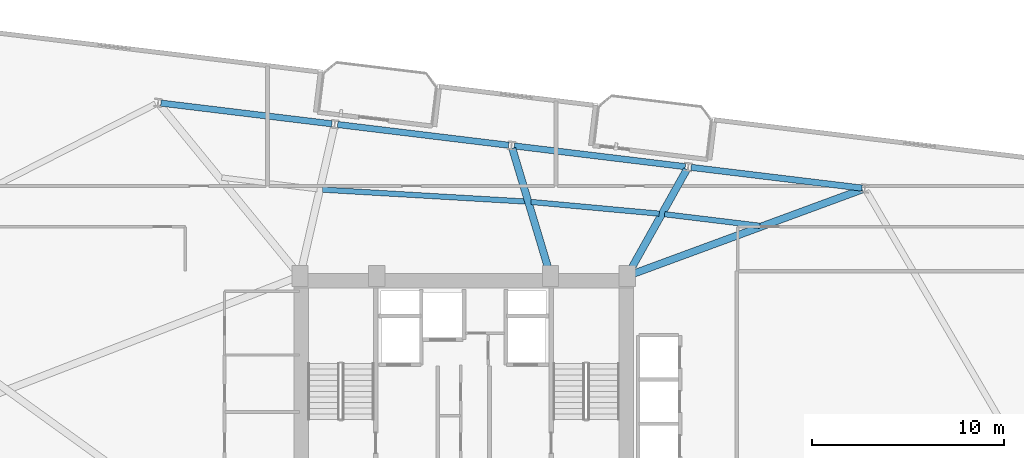
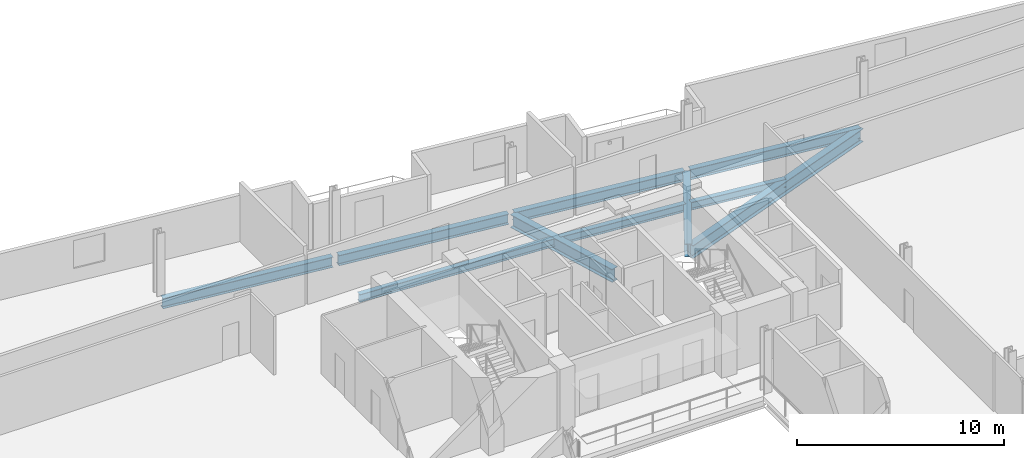
# One storey, part 13 of 26: 10 beams.
"""IFC4 building model written with IfcOpenShell, lengths in metres."""

from ifc_helpers import new_model, si_unit, direction, frame, origin, origin_2d, place, context, subcontext, project, spatial, i_section, extrude, material, material_profile, profile_set, type_object, element, save


model = new_model("IFC4")

# Units and contexts
model_context = context("Model", 3, precision=1e-05, world=origin(), true_north=direction((0.0, 1.0)))
body_context = subcontext(model_context, "Body", "Model", "MODEL_VIEW")
ifc_project = project(units=[si_unit("LENGTHUNIT", "METRE"), si_unit("AREAUNIT", "SQUARE_METRE"), si_unit("VOLUMEUNIT", "CUBIC_METRE"), si_unit("PLANEANGLEUNIT", "RADIAN"), si_unit("MASSUNIT", "GRAM", prefix="KILO")], contexts=[model_context])

# Site, building, storey
site_placement = place(None, origin())
site = spatial("IfcSite", under=ifc_project, at=site_placement, CompositionType="ELEMENT")
building_placement = place(site_placement, origin())
building = spatial("IfcBuilding", under=site, at=building_placement, Name="Varnelok Gate Tower", CompositionType="ELEMENT")
storey_placement = place(building_placement, frame((0.0, 0.0, 155.0)))
storey = spatial("IfcBuildingStorey", under=building, at=storey_placement, Name="L39", CompositionType="ELEMENT", Elevation=155.0)

# Beams
ifc_material = material(Name="Structural Steel ASTM A992 Grade 50", Category="steel")
ifc_material_profile_1 = material_profile(ifc_material, i_section(OverallWidth=0.280029296875, OverallDepth=0.462890625, WebThickness=0.0107421875, FlangeThickness=0.017333984375, FilletRadius=0.014892578125, at=origin_2d()), Name="W18X76")
ifc_profile_set_1 = profile_set([ifc_material_profile_1], Name="Structural Steel ASTM A992 Grade 50")
beam_type_1 = type_object("IfcBeamType", Name="BM-JST-W18X76", PredefinedType="JOIST", material=ifc_profile_set_1)
beam_1_placement = place(storey_placement, frame((54.60302734375, 41.662109375, -0.4814453125), z_axis=(-0.992726345513, 0.120392702953, 0.0), x_axis=(-0.120392702953, -0.992726345513, 0.0)))
element("IfcBeam", 1, at=beam_1_placement, inside=storey, type_object=beam_type_1, Name="L39 Sector Floor Joist 7", PredefinedType="JOIST", context=body_context, shape_type="SweptSolid", body=[
    extrude(i_section(OverallWidth=0.280029296875, OverallDepth=0.462890625, WebThickness=0.0107421875, FlangeThickness=0.017333984375, FilletRadius=0.014892578125, at=origin_2d()), origin(), (0.0, 0.0, 1.0), 4.99267578125),
])
beam_2_placement = place(storey_placement, frame((49.368408203125, 42.29248046875, -0.4814453125), z_axis=(-0.995851851567, 0.090989503412, 0.0), x_axis=(-0.090989503412, -0.995851851567, 0.0)))
element("IfcBeam", 2, at=beam_2_placement, inside=storey, type_object=beam_type_1, Name="L39 Sector Floor Joist 8", PredefinedType="JOIST", context=body_context, shape_type="SweptSolid", body=[
    extrude(i_section(OverallWidth=0.280029296875, OverallDepth=0.462890625, WebThickness=0.0107421875, FlangeThickness=0.017333984375, FilletRadius=0.014892578125, at=origin_2d()), origin(), (0.0, 0.0, 1.0), 6.694580078125),
])
beam_3_placement = place(storey_placement, frame((42.42236328125, 42.922607421875, -0.4814453125), z_axis=(-0.998288836644, 0.058475624263, 0.0), x_axis=(-0.058475624263, -0.998288836644, 0.0)))
element("IfcBeam", 3, at=beam_3_placement, inside=storey, type_object=beam_type_1, Name="L39 Sector Floor Joist 9", PredefinedType="JOIST", context=body_context, shape_type="SweptSolid", body=[
    extrude(i_section(OverallWidth=0.280029296875, OverallDepth=0.462890625, WebThickness=0.0107421875, FlangeThickness=0.017333984375, FilletRadius=0.014892578125, at=origin_2d()), origin(), (0.0, 0.0, 1.0), 10.5712890625),
])
ifc_material_profile_2 = material_profile(ifc_material, i_section(OverallWidth=0.381103515625, OverallDepth=0.77294921875, WebThickness=0.0166015625, FlangeThickness=0.027099609375, FilletRadius=0.02197265625, at=origin_2d()), Name="W30X173")
ifc_profile_set_2 = profile_set([ifc_material_profile_2], Name="Structural Steel ASTM A992 Grade 50")
beam_type_2 = type_object("IfcBeamType", Name="BM-PRI-W30X173", PredefinedType="BEAM", material=ifc_profile_set_2)
beam_4_placement = place(storey_placement, frame((47.8408203125, 39.101806640625, -0.636474609375), z_axis=(0.938296458402, 0.345831976761, 0.0), x_axis=(-0.345831976761, 0.938296458402, 0.0)))
element("IfcBeam", 4, at=beam_4_placement, inside=storey, type_object=beam_type_2, Name="L39 Radial Floor Girder 9", PredefinedType="BEAM", context=body_context, shape_type="SweptSolid", body=[
    extrude(i_section(OverallWidth=0.381103515625, OverallDepth=0.77294921875, WebThickness=0.0166015625, FlangeThickness=0.027099609375, FilletRadius=0.02197265625, at=origin_2d()), origin(), (0.0, 0.0, 1.0), 12.86669921875),
])
beam_5_placement = place(storey_placement, frame((47.773193359375, 39.180908203125, -0.636474609375), z_axis=(0.48838490004, 0.872628322605, 0.0), x_axis=(-0.872628322605, 0.48838490004, 0.0)))
element("IfcBeam", 5, at=beam_5_placement, inside=storey, type_object=beam_type_2, Name="L39 Radial Floor Girder 10", PredefinedType="BEAM", context=body_context, shape_type="SweptSolid", body=[
    extrude(i_section(OverallWidth=0.381103515625, OverallDepth=0.77294921875, WebThickness=0.0166015625, FlangeThickness=0.027099609375, FilletRadius=0.02197265625, at=origin_2d()), origin(), (0.0, 0.0, 1.0), 6.193603515625),
])
beam_6_placement = place(storey_placement, frame((43.677001953125, 39.193603515625, -0.636474609375), z_axis=(-0.28702069947, 0.957924380145, 0.0), x_axis=(-0.957924380145, -0.28702069947, 0.0)))
element("IfcBeam", 6, at=beam_6_placement, inside=storey, type_object=beam_type_2, Name="L39 Radial Floor Girder 11", PredefinedType="BEAM", context=body_context, shape_type="SweptSolid", body=[
    extrude(i_section(OverallWidth=0.381103515625, OverallDepth=0.77294921875, WebThickness=0.0166015625, FlangeThickness=0.027099609375, FilletRadius=0.02197265625, at=origin_2d()), origin(), (0.0, 0.0, 1.0), 6.777587890625),
])
ifc_material_profile_3 = material_profile(ifc_material, i_section(OverallWidth=0.323974609375, OverallDepth=0.611083984375, WebThickness=0.0126953125, FlangeThickness=0.01904296875, FilletRadius=0.01806640625, at=origin_2d()), Name="W24X104")
ifc_profile_set_3 = profile_set([ifc_material_profile_3], Name="Structural Steel ASTM A992 Grade 50")
beam_type_3 = type_object("IfcBeamType", Name="BM-SPN-W24X104", PredefinedType="SPANDREL", material=ifc_profile_set_3)
for number, where, z_axis, x_axis, name in (
    (7, (59.905517578125, 43.621337890625, -0.555419921875), (-0.99273141198, 0.120350918849, 0.0), (-0.120350918849, -0.99273141198, 0.0), "L39 Perimeter Spandrel Beam 9"),
    (8, (50.72265625, 44.734619140625, -0.555419921875), (-0.992734670707, 0.120324035735, 0.0), (-0.120324035735, -0.992734670707, 0.0), "L39 Perimeter Spandrel Beam 10"),
    (9, (41.539794921875, 45.847900390625, -0.555419921875), (-0.992734670707, 0.120324035735, 0.0), (-0.120324035735, -0.992734670707, 0.0), "L39 Perimeter Spandrel Beam 11"),
    (10, (32.357177734375, 46.9609375, -0.555419921875), (-0.99273141198, 0.120350918849, 0.0), (-0.120350918849, -0.99273141198, 0.0), "L39 Perimeter Spandrel Beam 12"),
):
    element("IfcBeam", number, at=place(storey_placement, frame(where, z_axis=z_axis, x_axis=x_axis)), inside=storey, type_object=beam_type_3, Name=name, PredefinedType="SPANDREL", context=body_context, shape_type="SweptSolid", body=[
        extrude(i_section(OverallWidth=0.323974609375, OverallDepth=0.611083984375, WebThickness=0.0126953125, FlangeThickness=0.01904296875, FilletRadius=0.01806640625, at=origin_2d()), origin(), (0.0, 0.0, 1.0), 8.949951171875),
    ])

save(model, "model.ifc")
